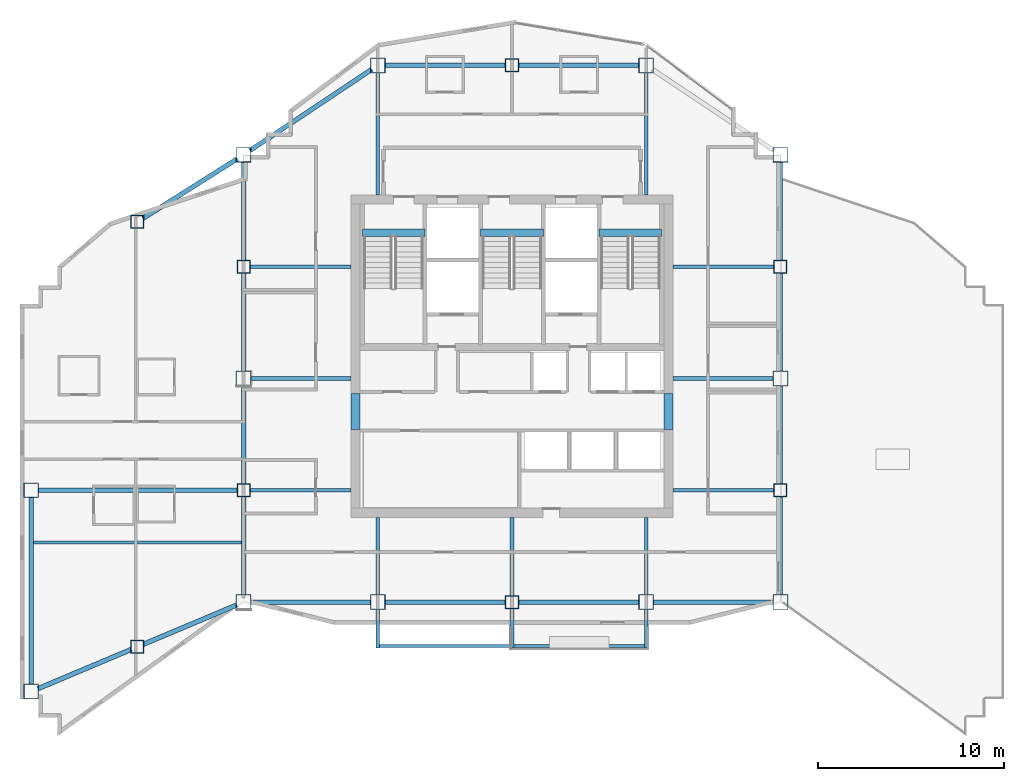
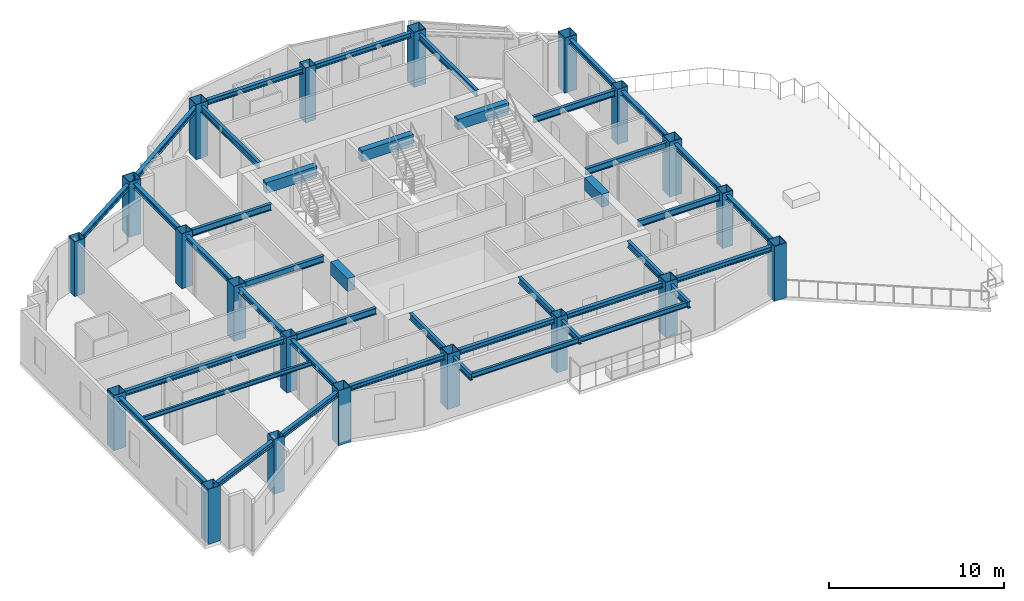
# One storey, part 1 of 10: 42 beams, 20 columns.
"""IFC4 building model written with IfcOpenShell, lengths in metres."""

from ifc_helpers import new_model, si_unit, direction, frame, origin, origin_2d, place, context, subcontext, project, spatial, rectangle, hollow_rectangle, i_section, extrude, material, material_profile, profile_set, type_object, element, save


model = new_model("IFC4")

# Units and contexts
model_context = context("Model", 3, precision=1e-05, world=origin(), true_north=direction((0.0, 1.0)))
body_context = subcontext(model_context, "Body", "Model", "MODEL_VIEW")
ifc_project = project(units=[si_unit("LENGTHUNIT", "METRE"), si_unit("AREAUNIT", "SQUARE_METRE"), si_unit("VOLUMEUNIT", "CUBIC_METRE"), si_unit("PLANEANGLEUNIT", "RADIAN"), si_unit("MASSUNIT", "GRAM", prefix="KILO")], contexts=[model_context])

# Site, building, storey
site_placement = place(None, origin())
site = spatial("IfcSite", under=ifc_project, at=site_placement, CompositionType="ELEMENT")
building_placement = place(site_placement, origin())
building = spatial("IfcBuilding", under=site, at=building_placement, Name="Haolan Belvedere Tower", CompositionType="ELEMENT")
storey_placement = place(building_placement, frame((0.0, 0.0, 235.199951171875)))
storey = spatial("IfcBuildingStorey", under=building, at=storey_placement, Name="L59", CompositionType="ELEMENT", Elevation=235.199951171875)

# Columns
ifc_material_1 = material(Name="Steel Q390GJC", Category="steel")
ifc_material_profile_1 = material_profile(ifc_material_1, hollow_rectangle(XDim=0.699951171875, YDim=0.699951171875, WallThickness=0.02587890625, at=origin_2d()), Name="Steel Q390GJC")
ifc_profile_set_1 = profile_set([ifc_material_profile_1], Name="Steel Q390GJC")
column_type_1 = type_object("IfcColumnType", Name="COL-BOX700x700x26", PredefinedType="COLUMN", material=ifc_profile_set_1)
for number, where, z_axis, x_axis, name in (
    (1, (24.0, 27.60009765625, 0.0), (0.0, 0.0, 1.0), (1.0, 0.0, 0.0), "L59 column TC-T3-W1 (BOX700x700x26)"),
    (2, (24.0, 39.60009765625, 0.0), (0.0, 0.0, 1.0), (1.0, 0.0, 0.0), "L59 column TC-T3-W2 (BOX700x700x26)"),
    (3, (52.800048828125, 27.60009765625, 0.0), (0.0, 0.0, 1.0), (1.0, 0.0, 0.0), "L59 column TC-T3-E1 (BOX700x700x26)"),
    (4, (52.800048828125, 39.60009765625, 0.0), (0.0, 0.0, 1.0), (1.0, 0.0, 0.0), "L59 column TC-T3-E2 (BOX700x700x26)"),
    (5, (38.39990234375, 21.60009765625, 0.0), (0.0, 0.0, 1.0), (1.0, 0.0, 0.0), "L59 column TC-T3-SM (BOX700x700x26)"),
    (6, (38.39990234375, 50.39990234375, 0.0), (0.0, 0.0, 1.0), (1.0, 0.0, 0.0), "L59 column TC-T3-NM (BOX700x700x26)"),
    (7, (18.300048828125, 19.199951171875, 0.0), (0.0, 0.0, 1.0), (1.0, 0.0, 0.0), "L59 column TC-T2-S1 (BOX700x700x26)"),
    (8, (18.300048828125, 42.0, 0.0), (0.0, 0.0, 1.0), (1.0, 0.0, 0.0), "L59 column TC-T2-N1 (BOX700x700x26)"),
):
    element("IfcColumn", number, at=place(storey_placement, frame(where, z_axis=z_axis, x_axis=x_axis)), inside=storey, type_object=column_type_1, Name=name, PredefinedType="COLUMN", context=body_context, shape_type="SweptSolid", body=[
        extrude(hollow_rectangle(XDim=0.699951171875, YDim=0.699951171875, WallThickness=0.02587890625, at=origin_2d()), origin(), (0.0, 0.0, 1.0), 3.85009765625),
    ])
ifc_material_profile_2 = material_profile(ifc_material_1, hollow_rectangle(XDim=0.800048828125, YDim=0.800048828125, WallThickness=0.030029296875, at=origin_2d()), Name="Steel Q390GJC")
ifc_profile_set_2 = profile_set([ifc_material_profile_2], Name="Steel Q390GJC")
column_type_2 = type_object("IfcColumnType", Name="COL-BOX800x800x30", PredefinedType="COLUMN", material=ifc_profile_set_2)
for number, where, z_axis, x_axis, name in (
    (9, (24.0, 21.60009765625, 0.0), (0.0, 0.0, 1.0), (1.0, 0.0, 0.0), "L59 column MC-T3-SW (BOX800x800x30)"),
    (10, (24.0, 33.60009765625, 0.0), (0.0, 0.0, 1.0), (1.0, 0.0, 0.0), "L59 column MC-T3-MW (BOX800x800x30)"),
    (11, (24.0, 45.60009765625, 0.0), (0.0, 0.0, 1.0), (1.0, 0.0, 0.0), "L59 column MC-T3-NW (BOX800x800x30)"),
    (12, (52.800048828125, 21.60009765625, 0.0), (0.0, 0.0, 1.0), (1.0, 0.0, 0.0), "L59 column MC-T3-SE (BOX800x800x30)"),
    (13, (52.800048828125, 33.60009765625, 0.0), (0.0, 0.0, 1.0), (1.0, 0.0, 0.0), "L59 column MC-T3-ME (BOX800x800x30)"),
    (14, (52.800048828125, 45.60009765625, 0.0), (0.0, 0.0, 1.0), (1.0, 0.0, 0.0), "L59 column MC-T3-NE (BOX800x800x30)"),
    (15, (31.199951171875, 21.60009765625, 0.0), (0.0, 0.0, 1.0), (1.0, 0.0, 0.0), "L59 column MC-T3-S1 (BOX800x800x30)"),
    (16, (45.60009765625, 21.60009765625, 0.0), (0.0, 0.0, 1.0), (1.0, 0.0, 0.0), "L59 column MC-T3-S2 (BOX800x800x30)"),
    (17, (31.199951171875, 50.39990234375, 0.0), (0.0, 0.0, 1.0), (1.0, 0.0, 0.0), "L59 column MC-T3-N1 (BOX800x800x30)"),
    (18, (45.60009765625, 50.39990234375, 0.0), (0.0, 0.0, 1.0), (1.0, 0.0, 0.0), "L59 column MC-T3-N2 (BOX800x800x30)"),
    (19, (12.60009765625, 16.800048828125, 0.0), (0.0, 0.0, 1.0), (1.0, 0.0, 0.0), "L59 column MC-T2-SW (BOX800x800x30)"),
    (20, (12.60009765625, 27.60009765625, 0.0), (0.0, 0.0, 1.0), (1.0, 0.0, 0.0), "L59 column MC-T2-MW (BOX800x800x30)"),
):
    element("IfcColumn", number, at=place(storey_placement, frame(where, z_axis=z_axis, x_axis=x_axis)), inside=storey, type_object=column_type_2, Name=name, PredefinedType="COLUMN", context=body_context, shape_type="SweptSolid", body=[
        extrude(hollow_rectangle(XDim=0.800048828125, YDim=0.800048828125, WallThickness=0.030029296875, at=origin_2d()), origin(), (0.0, 0.0, 1.0), 3.85009765625),
    ])

# Beams
ifc_material_2 = material(Name="Steel Q355B", Category="steel")
ifc_material_profile_3 = material_profile(ifc_material_2, i_section(OverallWidth=0.25, OverallDepth=0.340087890625, WebThickness=0.009033203125, FlangeThickness=0.013916015625, FilletRadius=0.02001953125, at=origin_2d()), Name="Steel Q355B")
ifc_profile_set_3 = profile_set([ifc_material_profile_3], Name="Steel Q355B")
beam_type_1 = type_object("IfcBeamType", Name="BM-HM340x250x9x14", PredefinedType="SPANDREL", material=ifc_profile_set_3)
for number, where, z_axis, x_axis, name in (
    (21, (24.0, 22.0, 3.5), (0.0, 1.0, 0.0), (-1.0, 0.0, 0.0), "L59 spandrel girder MC-T3-SW-TC-T3-W1"),
    (22, (24.0, 27.949951171875, 3.5), (0.0, 1.0, 0.0), (-1.0, 0.0, 0.0), "L59 spandrel girder TC-T3-W1-MC-T3-MW"),
    (23, (24.0, 34.0, 3.5), (0.0, 1.0, 0.0), (-1.0, 0.0, 0.0), "L59 spandrel girder MC-T3-MW-TC-T3-W2"),
    (24, (24.0, 39.949951171875, 3.5), (0.0, 1.0, 0.0), (-1.0, 0.0, 0.0), "L59 spandrel girder TC-T3-W2-MC-T3-NW"),
    (25, (52.800048828125, 22.0, 3.5), (0.0, 1.0, 0.0), (-1.0, 0.0, 0.0), "L59 spandrel girder MC-T3-SE-TC-T3-E1"),
    (26, (52.800048828125, 27.949951171875, 3.5), (0.0, 1.0, 0.0), (-1.0, 0.0, 0.0), "L59 spandrel girder TC-T3-E1-MC-T3-ME"),
    (27, (52.800048828125, 34.0, 3.5), (0.0, 1.0, 0.0), (-1.0, 0.0, 0.0), "L59 spandrel girder MC-T3-ME-TC-T3-E2"),
    (28, (52.800048828125, 39.949951171875, 3.5), (0.0, 1.0, 0.0), (-1.0, 0.0, 0.0), "L59 spandrel girder TC-T3-E2-MC-T3-NE"),
):
    element("IfcBeam", number, at=place(storey_placement, frame(where, z_axis=z_axis, x_axis=x_axis)), inside=storey, type_object=beam_type_1, Name=name, PredefinedType="SPANDREL", context=body_context, shape_type="SweptSolid", body=[
        extrude(i_section(OverallWidth=0.25, OverallDepth=0.340087890625, WebThickness=0.009033203125, FlangeThickness=0.013916015625, FilletRadius=0.02001953125, at=origin_2d()), origin(), (0.0, 0.0, 1.0), 5.25),
    ])
beam_1_placement = place(storey_placement, frame((24.39990234375, 21.60009765625, 3.5), z_axis=(1.0, 0.0, 0.0), x_axis=(0.0, 1.0, 0.0)))
element("IfcBeam", 29, at=beam_1_placement, inside=storey, type_object=beam_type_1, Name="L59 spandrel girder MC-T3-SW-MC-T3-S1", PredefinedType="SPANDREL", context=body_context, shape_type="SweptSolid", body=[
    extrude(i_section(OverallWidth=0.25, OverallDepth=0.340087890625, WebThickness=0.009033203125, FlangeThickness=0.013916015625, FilletRadius=0.02001953125, at=origin_2d()), origin(), (0.0, 0.0, 1.0), 6.400146484375),
])
for number, where, z_axis, x_axis, name in (
    (30, (31.60009765625, 21.60009765625, 3.5), (1.0, 0.0, 0.0), (0.0, 1.0, 0.0), "L59 spandrel girder MC-T3-S1-TC-T3-SM"),
    (31, (38.75, 21.60009765625, 3.5), (1.0, 0.0, 0.0), (0.0, 1.0, 0.0), "L59 spandrel girder TC-T3-SM-MC-T3-S2"),
):
    element("IfcBeam", number, at=place(storey_placement, frame(where, z_axis=z_axis, x_axis=x_axis)), inside=storey, type_object=beam_type_1, Name=name, PredefinedType="SPANDREL", context=body_context, shape_type="SweptSolid", body=[
        extrude(i_section(OverallWidth=0.25, OverallDepth=0.340087890625, WebThickness=0.009033203125, FlangeThickness=0.013916015625, FilletRadius=0.02001953125, at=origin_2d()), origin(), (0.0, 0.0, 1.0), 6.449951171875),
    ])
beam_2_placement = place(storey_placement, frame((46.0, 21.60009765625, 3.5), z_axis=(1.0, 0.0, 0.0), x_axis=(0.0, 1.0, 0.0)))
element("IfcBeam", 32, at=beam_2_placement, inside=storey, type_object=beam_type_1, Name="L59 spandrel girder MC-T3-S2-MC-T3-SE", PredefinedType="SPANDREL", context=body_context, shape_type="SweptSolid", body=[
    extrude(i_section(OverallWidth=0.25, OverallDepth=0.340087890625, WebThickness=0.009033203125, FlangeThickness=0.013916015625, FilletRadius=0.02001953125, at=origin_2d()), origin(), (0.0, 0.0, 1.0), 6.39990234375),
])
beam_3_placement = place(storey_placement, frame((24.332763671875, 45.82177734375, 3.5), z_axis=(0.832040729016, 0.55471454394, 0.0), x_axis=(-0.55471454394, 0.832040729016, 0.0)))
element("IfcBeam", 33, at=beam_3_placement, inside=storey, type_object=beam_type_1, Name="L59 spandrel girder MC-T3-NW-MC-T3-N1", PredefinedType="SPANDREL", context=body_context, shape_type="SweptSolid", body=[
    extrude(i_section(OverallWidth=0.25, OverallDepth=0.340087890625, WebThickness=0.009033203125, FlangeThickness=0.013916015625, FilletRadius=0.02001953125, at=origin_2d()), origin(), (0.0, 0.0, 1.0), 7.853515625),
])
for number, where, z_axis, x_axis, name in (
    (34, (31.60009765625, 50.39990234375, 3.5), (1.0, 0.0, 0.0), (0.0, 1.0, 0.0), "L59 spandrel girder MC-T3-N1-TC-T3-NM"),
    (35, (38.75, 50.39990234375, 3.5), (1.0, 0.0, 0.0), (0.0, 1.0, 0.0), "L59 spandrel girder TC-T3-NM-MC-T3-N2"),
):
    element("IfcBeam", number, at=place(storey_placement, frame(where, z_axis=z_axis, x_axis=x_axis)), inside=storey, type_object=beam_type_1, Name=name, PredefinedType="SPANDREL", context=body_context, shape_type="SweptSolid", body=[
        extrude(i_section(OverallWidth=0.25, OverallDepth=0.340087890625, WebThickness=0.009033203125, FlangeThickness=0.013916015625, FilletRadius=0.02001953125, at=origin_2d()), origin(), (0.0, 0.0, 1.0), 6.449951171875),
    ])
beam_4_placement = place(storey_placement, frame((12.60009765625, 17.199951171875, 3.5), z_axis=(0.0, 1.0, 0.0), x_axis=(-1.0, 0.0, 0.0)))
element("IfcBeam", 36, at=beam_4_placement, inside=storey, type_object=beam_type_1, Name="L59 spandrel girder MC-T2-SW-MC-T2-MW", PredefinedType="SPANDREL", context=body_context, shape_type="SweptSolid", body=[
    extrude(i_section(OverallWidth=0.25, OverallDepth=0.340087890625, WebThickness=0.009033203125, FlangeThickness=0.013916015625, FilletRadius=0.02001953125, at=origin_2d()), origin(), (0.0, 0.0, 1.0), 10.0),
])
for number, where, z_axis, x_axis, name in (
    (37, (12.96875, 16.955322265625, 3.5), (0.921640448717, 0.388044950088, 0.0), (-0.388044950088, 0.921640448717, 0.0), "L59 spandrel girder MC-T2-SW-TC-T2-S1"),
    (38, (18.62255859375, 19.3359375, 3.5), (0.921640448717, 0.388044950088, 0.0), (-0.388044950088, 0.921640448717, 0.0), "L59 spandrel girder TC-T2-S1-MC-T3-SW"),
):
    element("IfcBeam", number, at=place(storey_placement, frame(where, z_axis=z_axis, x_axis=x_axis)), inside=storey, type_object=beam_type_1, Name=name, PredefinedType="SPANDREL", context=body_context, shape_type="SweptSolid", body=[
        extrude(i_section(OverallWidth=0.25, OverallDepth=0.340087890625, WebThickness=0.009033203125, FlangeThickness=0.013916015625, FilletRadius=0.02001953125, at=origin_2d()), origin(), (0.0, 0.0, 1.0), 5.4345703125),
    ])
beam_5_placement = place(storey_placement, frame((18.595947265625, 42.18701171875, 3.5), z_axis=(0.845493744187, 0.533985326148, 0.0), x_axis=(-0.533985326148, 0.845493744187, 0.0)))
element("IfcBeam", 39, at=beam_5_placement, inside=storey, type_object=beam_type_1, Name="L59 spandrel girder TC-T2-N1-MC-T3-NW", PredefinedType="SPANDREL", context=body_context, shape_type="SweptSolid", body=[
    extrude(i_section(OverallWidth=0.25, OverallDepth=0.340087890625, WebThickness=0.009033203125, FlangeThickness=0.013916015625, FilletRadius=0.02001953125, at=origin_2d()), origin(), (0.0, 0.0, 1.0), 5.99169921875),
])
beam_6_placement = place(storey_placement, frame((13.0, 27.60009765625, 3.5), z_axis=(1.0, 0.0, 0.0), x_axis=(0.0, 1.0, 0.0)))
element("IfcBeam", 40, at=beam_6_placement, inside=storey, type_object=beam_type_1, Name="L59 spandrel girder MC-T2-MW-TC-T3-W1", PredefinedType="SPANDREL", context=body_context, shape_type="SweptSolid", body=[
    extrude(i_section(OverallWidth=0.25, OverallDepth=0.340087890625, WebThickness=0.009033203125, FlangeThickness=0.013916015625, FilletRadius=0.02001953125, at=origin_2d()), origin(), (0.0, 0.0, 1.0), 10.64990234375),
])
ifc_material_profile_4 = material_profile(ifc_material_2, i_section(OverallWidth=0.14990234375, OverallDepth=0.300048828125, WebThickness=0.006591796875, FlangeThickness=0.009033203125, FilletRadius=0.012939453125, at=origin_2d()), Name="Steel Q355B")
ifc_profile_set_4 = profile_set([ifc_material_profile_4], Name="Steel Q355B")
beam_type_2 = type_object("IfcBeamType", Name="BM-HN300x150x6.5x9", PredefinedType="JOIST", material=ifc_profile_set_4)
beam_7_placement = place(storey_placement, frame((12.72509765625, 24.800048828125, 3.52001953125), z_axis=(1.0, 0.0, 0.0), x_axis=(0.0, 1.0, 0.0)))
element("IfcBeam", 41, at=beam_7_placement, inside=storey, type_object=beam_type_2, Name="L59 west wing floor joist 1", PredefinedType="JOIST", context=body_context, shape_type="SweptSolid", body=[
    extrude(i_section(OverallWidth=0.14990234375, OverallDepth=0.300048828125, WebThickness=0.006591796875, FlangeThickness=0.009033203125, FilletRadius=0.012939453125, at=origin_2d()), origin(), (0.0, 0.0, 1.0), 11.14990234375),
])
ifc_material_profile_5 = material_profile(ifc_material_2, i_section(OverallWidth=0.175048828125, OverallDepth=0.35009765625, WebThickness=0.007080078125, FlangeThickness=0.010986328125, FilletRadius=0.012939453125, at=origin_2d()), Name="Steel Q355B")
ifc_profile_set_5 = profile_set([ifc_material_profile_5], Name="Steel Q355B")
beam_type_3 = type_object("IfcBeamType", Name="BM-HN350x175x7x11", PredefinedType="JOIST", material=ifc_profile_set_5)
for number, where, z_axis, x_axis, name in (
    (42, (31.300048828125, 19.239990234375, 3.445068359375), (1.0, 0.0, 0.0), (0.0, 1.0, 0.0), "L60 tree-balcony front trimmer beam 1"),
    (43, (38.5, 19.239990234375, 3.445068359375), (1.0, 0.0, 0.0), (0.0, 1.0, 0.0), "L60 tree-balcony front trimmer beam 2"),
):
    element("IfcBeam", number, at=place(storey_placement, frame(where, z_axis=z_axis, x_axis=x_axis)), inside=storey, type_object=beam_type_3, Name=name, PredefinedType="BEAM", context=body_context, shape_type="SweptSolid", body=[
        extrude(i_section(OverallWidth=0.175048828125, OverallDepth=0.35009765625, WebThickness=0.007080078125, FlangeThickness=0.010986328125, FilletRadius=0.012939453125, at=origin_2d()), origin(), (0.0, 0.0, 1.0), 7.0),
    ])
ifc_material_profile_6 = material_profile(ifc_material_2, i_section(OverallWidth=0.199951171875, OverallDepth=0.449951171875, WebThickness=0.009033203125, FlangeThickness=0.013916015625, FilletRadius=0.01611328125, at=origin_2d()), Name="Steel Q355B")
ifc_profile_set_6 = profile_set([ifc_material_profile_6], Name="Steel Q355B")
beam_type_4 = type_object("IfcBeamType", Name="BM-HN450x200x9x14", PredefinedType="BEAM", material=ifc_profile_set_6)
beam_8_placement = place(storey_placement, frame((24.39990234375, 33.60009765625, 3.445068359375), z_axis=(1.0, 0.0, 0.0), x_axis=(0.0, 1.0, 0.0)))
element("IfcBeam", 44, at=beam_8_placement, inside=storey, type_object=beam_type_4, Name="L59 core tie beam from MC-T3-MW", PredefinedType="BEAM", context=body_context, shape_type="SweptSolid", body=[
    extrude(i_section(OverallWidth=0.199951171875, OverallDepth=0.449951171875, WebThickness=0.009033203125, FlangeThickness=0.013916015625, FilletRadius=0.01611328125, at=origin_2d()), origin(), (0.0, 0.0, 1.0), 5.35009765625),
])
for number, where, z_axis, x_axis, name in (
    (45, (24.35009765625, 27.60009765625, 3.445068359375), (1.0, 0.0, 0.0), (0.0, 1.0, 0.0), "L59 core tie beam from TC-T3-W1"),
    (46, (24.35009765625, 39.60009765625, 3.445068359375), (1.0, 0.0, 0.0), (0.0, 1.0, 0.0), "L59 core tie beam from TC-T3-W2"),
):
    element("IfcBeam", number, at=place(storey_placement, frame(where, z_axis=z_axis, x_axis=x_axis)), inside=storey, type_object=beam_type_4, Name=name, PredefinedType="BEAM", context=body_context, shape_type="SweptSolid", body=[
        extrude(i_section(OverallWidth=0.199951171875, OverallDepth=0.449951171875, WebThickness=0.009033203125, FlangeThickness=0.013916015625, FilletRadius=0.01611328125, at=origin_2d()), origin(), (0.0, 0.0, 1.0), 5.39990234375),
    ])
beam_9_placement = place(storey_placement, frame((52.39990234375, 33.60009765625, 3.445068359375), z_axis=(-1.0, 0.0, 0.0), x_axis=(0.0, -1.0, 0.0)))
element("IfcBeam", 47, at=beam_9_placement, inside=storey, type_object=beam_type_4, Name="L59 core tie beam from MC-T3-ME", PredefinedType="BEAM", context=body_context, shape_type="SweptSolid", body=[
    extrude(i_section(OverallWidth=0.199951171875, OverallDepth=0.449951171875, WebThickness=0.009033203125, FlangeThickness=0.013916015625, FilletRadius=0.01611328125, at=origin_2d()), origin(), (0.0, 0.0, 1.0), 5.349853515625),
])
for number, where, z_axis, x_axis, name in (
    (48, (52.449951171875, 27.60009765625, 3.445068359375), (-1.0, 0.0, 0.0), (0.0, -1.0, 0.0), "L59 core tie beam from TC-T3-E1"),
    (49, (52.449951171875, 39.60009765625, 3.445068359375), (-1.0, 0.0, 0.0), (0.0, -1.0, 0.0), "L59 core tie beam from TC-T3-E2"),
):
    element("IfcBeam", number, at=place(storey_placement, frame(where, z_axis=z_axis, x_axis=x_axis)), inside=storey, type_object=beam_type_4, Name=name, PredefinedType="BEAM", context=body_context, shape_type="SweptSolid", body=[
        extrude(i_section(OverallWidth=0.199951171875, OverallDepth=0.449951171875, WebThickness=0.009033203125, FlangeThickness=0.013916015625, FilletRadius=0.01611328125, at=origin_2d()), origin(), (0.0, 0.0, 1.0), 5.39990234375),
    ])
beam_10_placement = place(storey_placement, frame((31.199951171875, 22.0, 3.445068359375), z_axis=(0.0, 1.0, 0.0), x_axis=(-1.0, 0.0, 0.0)))
element("IfcBeam", 50, at=beam_10_placement, inside=storey, type_object=beam_type_4, Name="L59 core tie beam from MC-T3-S1", PredefinedType="BEAM", context=body_context, shape_type="SweptSolid", body=[
    extrude(i_section(OverallWidth=0.199951171875, OverallDepth=0.449951171875, WebThickness=0.009033203125, FlangeThickness=0.013916015625, FilletRadius=0.01611328125, at=origin_2d()), origin(), (0.0, 0.0, 1.0), 4.14990234375),
])
beam_11_placement = place(storey_placement, frame((38.39990234375, 21.949951171875, 3.445068359375), z_axis=(0.0, 1.0, 0.0), x_axis=(-1.0, 0.0, 0.0)))
element("IfcBeam", 51, at=beam_11_placement, inside=storey, type_object=beam_type_4, Name="L59 core tie beam from TC-T3-SM", PredefinedType="BEAM", context=body_context, shape_type="SweptSolid", body=[
    extrude(i_section(OverallWidth=0.199951171875, OverallDepth=0.449951171875, WebThickness=0.009033203125, FlangeThickness=0.013916015625, FilletRadius=0.01611328125, at=origin_2d()), origin(), (0.0, 0.0, 1.0), 4.199951171875),
])
beam_12_placement = place(storey_placement, frame((45.60009765625, 22.0, 3.445068359375), z_axis=(0.0, 1.0, 0.0), x_axis=(-1.0, 0.0, 0.0)))
element("IfcBeam", 52, at=beam_12_placement, inside=storey, type_object=beam_type_4, Name="L59 core tie beam from MC-T3-S2", PredefinedType="BEAM", context=body_context, shape_type="SweptSolid", body=[
    extrude(i_section(OverallWidth=0.199951171875, OverallDepth=0.449951171875, WebThickness=0.009033203125, FlangeThickness=0.013916015625, FilletRadius=0.01611328125, at=origin_2d()), origin(), (0.0, 0.0, 1.0), 4.14990234375),
])
for number, where, z_axis, x_axis, name in (
    (53, (31.199951171875, 50.0, 3.445068359375), (0.0, -1.0, 0.0), (1.0, 0.0, 0.0), "L59 core tie beam from MC-T3-N1"),
    (54, (45.60009765625, 50.0, 3.445068359375), (0.0, -1.0, 0.0), (1.0, 0.0, 0.0), "L59 core tie beam from MC-T3-N2"),
):
    element("IfcBeam", number, at=place(storey_placement, frame(where, z_axis=z_axis, x_axis=x_axis)), inside=storey, type_object=beam_type_4, Name=name, PredefinedType="BEAM", context=body_context, shape_type="SweptSolid", body=[
        extrude(i_section(OverallWidth=0.199951171875, OverallDepth=0.449951171875, WebThickness=0.009033203125, FlangeThickness=0.013916015625, FilletRadius=0.01611328125, at=origin_2d()), origin(), (0.0, 0.0, 1.0), 6.550048828125),
    ])
beam_13_placement = place(storey_placement, frame((31.199951171875, 21.199951171875, 3.39501953125), z_axis=(0.0, -1.0, 0.0), x_axis=(1.0, 0.0, 0.0)))
element("IfcBeam", 55, at=beam_13_placement, inside=storey, type_object=beam_type_4, Name="L60 tree-balcony column cantilever MC-T3-S1", PredefinedType="BEAM", context=body_context, shape_type="SweptSolid", body=[
    extrude(i_section(OverallWidth=0.199951171875, OverallDepth=0.449951171875, WebThickness=0.009033203125, FlangeThickness=0.013916015625, FilletRadius=0.01611328125, at=origin_2d()), origin(), (0.0, 0.0, 1.0), 2.06005859375),
])
beam_14_placement = place(storey_placement, frame((38.39990234375, 21.25, 3.39501953125), z_axis=(0.0, -1.0, 0.0), x_axis=(1.0, 0.0, 0.0)))
element("IfcBeam", 56, at=beam_14_placement, inside=storey, type_object=beam_type_4, Name="L60 tree-balcony column cantilever TC-T3-SM", PredefinedType="BEAM", context=body_context, shape_type="SweptSolid", body=[
    extrude(i_section(OverallWidth=0.199951171875, OverallDepth=0.449951171875, WebThickness=0.009033203125, FlangeThickness=0.013916015625, FilletRadius=0.01611328125, at=origin_2d()), origin(), (0.0, 0.0, 1.0), 2.110107421875),
])
beam_15_placement = place(storey_placement, frame((45.60009765625, 21.199951171875, 3.39501953125), z_axis=(0.0, -1.0, 0.0), x_axis=(1.0, 0.0, 0.0)))
element("IfcBeam", 57, at=beam_15_placement, inside=storey, type_object=beam_type_4, Name="L60 tree-balcony column cantilever MC-T3-S2", PredefinedType="BEAM", context=body_context, shape_type="SweptSolid", body=[
    extrude(i_section(OverallWidth=0.199951171875, OverallDepth=0.449951171875, WebThickness=0.009033203125, FlangeThickness=0.013916015625, FilletRadius=0.01611328125, at=origin_2d()), origin(), (0.0, 0.0, 1.0), 2.06005859375),
])
ifc_material_3 = material(Name="Concrete C50/60", Category="concrete")
ifc_material_profile_7 = material_profile(ifc_material_3, rectangle(XDim=0.39990234375, YDim=0.75, at=origin_2d()), Name="Concrete C50/60")
ifc_profile_set_7 = profile_set([ifc_material_profile_7], Name="Concrete C50/60")
beam_type_5 = type_object("IfcBeamType", Name="BM-RC400x750", PredefinedType="T_BEAM", material=ifc_profile_set_7)
beam_16_placement = place(storey_placement, frame((30.3798828125, 41.429931640625, 3.47509765625), z_axis=(1.0, 0.0, 0.0), x_axis=(0.0, 1.0, 0.0)))
element("IfcBeam", 58, at=beam_16_placement, inside=storey, type_object=beam_type_5, Name="L60 stair ST1 RC header trimmer beam", PredefinedType="BEAM", context=body_context, shape_type="SweptSolid", body=[
    extrude(rectangle(XDim=0.39990234375, YDim=0.75, at=origin_2d()), origin(), (0.0, 0.0, 1.0), 3.360107421875),
])
beam_17_placement = place(storey_placement, frame((36.699951171875, 41.429931640625, 3.47509765625), z_axis=(1.0, 0.0, 0.0), x_axis=(0.0, 1.0, 0.0)))
element("IfcBeam", 59, at=beam_17_placement, inside=storey, type_object=beam_type_5, Name="L60 stair ST3 RC header trimmer beam", PredefinedType="BEAM", context=body_context, shape_type="SweptSolid", body=[
    extrude(rectangle(XDim=0.39990234375, YDim=0.75, at=origin_2d()), origin(), (0.0, 0.0, 1.0), 3.400146484375),
])
beam_18_placement = place(storey_placement, frame((43.06005859375, 41.429931640625, 3.47509765625), z_axis=(1.0, 0.0, 0.0), x_axis=(0.0, 1.0, 0.0)))
element("IfcBeam", 60, at=beam_18_placement, inside=storey, type_object=beam_type_5, Name="L60 stair ST2 RC header trimmer beam", PredefinedType="BEAM", context=body_context, shape_type="SweptSolid", body=[
    extrude(rectangle(XDim=0.39990234375, YDim=0.75, at=origin_2d()), origin(), (0.0, 0.0, 1.0), 3.35986328125),
])
ifc_material_4 = material(Name="Concrete C60/75", Category="concrete")
ifc_material_profile_8 = material_profile(ifc_material_4, rectangle(XDim=0.5, YDim=0.89990234375, at=origin_2d()), Name="Concrete C60/75")
ifc_profile_set_8 = profile_set([ifc_material_profile_8], Name="Concrete C60/75")
beam_type_6 = type_object("IfcBeamType", Name="BM-RC500x900", PredefinedType="LINTEL", material=ifc_profile_set_8)
for number, where, z_axis, x_axis, name in (
    (61, (30.0, 30.85009765625, 3.219970703125), (0.0, 1.0, 0.0), (-1.0, 0.0, 0.0), "L59 west core coupling beam CB-01"),
    (62, (46.800048828125, 30.85009765625, 3.219970703125), (0.0, 1.0, 0.0), (-1.0, 0.0, 0.0), "L59 east core coupling beam CB-01"),
):
    element("IfcBeam", number, at=place(storey_placement, frame(where, z_axis=z_axis, x_axis=x_axis)), inside=storey, type_object=beam_type_6, Name=name, PredefinedType="LINTEL", context=body_context, shape_type="SweptSolid", body=[
        extrude(rectangle(XDim=0.5, YDim=0.89990234375, at=origin_2d()), origin(), (0.0, 0.0, 1.0), 1.949951171875),
    ])

save(model, "model.ifc")
